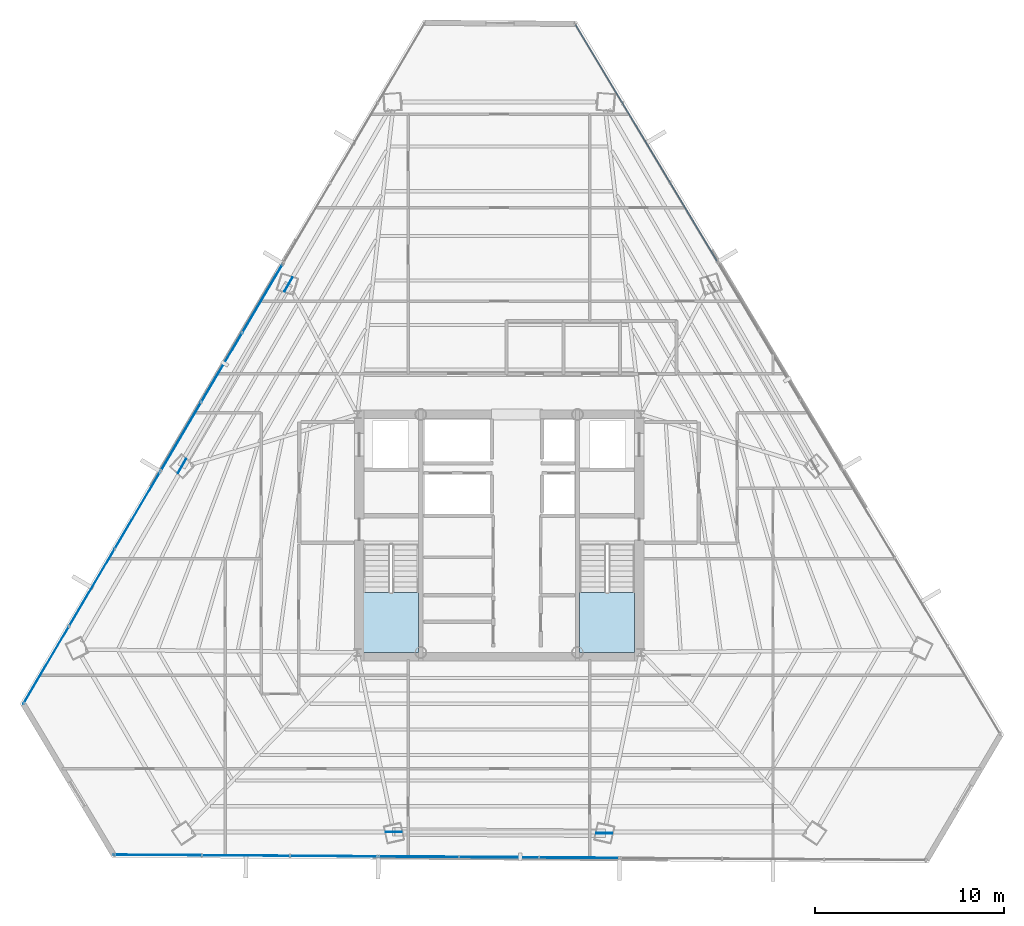
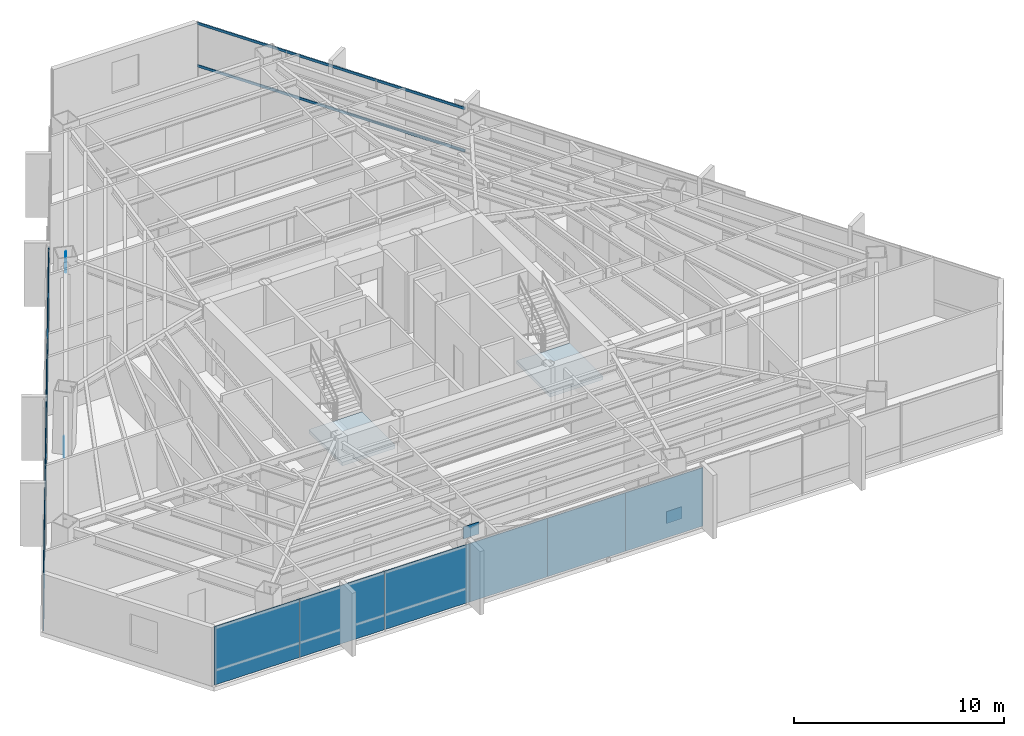
# One storey, part 33 of 41: 16 plates, 2 members, 2 slabs, 7 elements without a shape of their own.
"""IFC4 building model written with IfcOpenShell, lengths in metres."""

from ifc_helpers import new_model, si_unit, direction, frame, origin, origin_2d, place, context, subcontext, project, spatial, polyline, rectangle, hollow_rectangle, outline, extrude, source, transform, mapped, material, layer, layer_set, material_profile, profile_set, type_object, type_shapes, element, aggregate, save


model = new_model("IFC4")

# Units and contexts
model_context = context("Model", 3, precision=1e-05, world=origin(), true_north=direction((0.0, 1.0)))
body_context = subcontext(model_context, "Body", "Model", "MODEL_VIEW")
ifc_project = project(units=[si_unit("LENGTHUNIT", "METRE"), si_unit("AREAUNIT", "SQUARE_METRE"), si_unit("VOLUMEUNIT", "CUBIC_METRE"), si_unit("PLANEANGLEUNIT", "RADIAN"), si_unit("MASSUNIT", "GRAM", prefix="KILO")], contexts=[model_context])

# Site, building, storey
site_placement = place(None, origin())
site = spatial("IfcSite", under=ifc_project, at=site_placement, CompositionType="ELEMENT")
building_placement = place(site_placement, origin())
building = spatial("IfcBuilding", under=site, at=building_placement, Name="Caelisora Broadcast Tower", CompositionType="ELEMENT")
storey_placement = place(building_placement, frame((0.0, 0.0, 180.39990234375)))
storey = spatial("IfcBuildingStorey", under=building, at=storey_placement, Name="L47", CompositionType="ELEMENT", Elevation=180.39990234375)

# Curtain wall, members
ifc_material_1 = material(Name="Unitised Aluminium and Low-E Glass Curtain Wall", Category="glass")
curtain_wall_type_1 = type_object("IfcCurtainWallType", Name="CW-Z3", PredefinedType="NOTDEFINED", material=ifc_material_1)
curtain_wall_1_placement = place(storey_placement, origin())
curtain_wall_1 = element("IfcCurtainWall", 1, at=curtain_wall_1_placement, inside=storey, type_object=curtain_wall_type_1, Name="L47 curtain wall CW-Z3", PredefinedType="NOTDEFINED")
ifc_material_2 = material(Name="Aluminium 6063-T6 Anodised Terracotta Bronze", Category="aluminium")
ifc_material_profile = material_profile(ifc_material_2, hollow_rectangle(XDim=0.06005859375, YDim=0.14990234375, WallThickness=0.00341796875, at=origin_2d()), Name="Aluminium 6063-T6 Anodised Terracotta Bronze")
ifc_profile_set = profile_set([ifc_material_profile], Name="Aluminium 6063-T6 Anodised Terracotta Bronze")
member_type = type_object("IfcMemberType", Name="CWT-02", PredefinedType="USERDEFINED", material=ifc_profile_set)
shared_shape_1 = source(origin(), body_context, "Body", "SweptSolid", [
    extrude(hollow_rectangle(XDim=0.06005859375, YDim=0.14990234375, WallThickness=0.00341796875, at=origin_2d()), origin(), (0.0, 0.0, 1.0), 14.592529296875),
])
type_shapes(member_type, [shared_shape_1])
member_1_placement = place(storey_placement, frame((42.041748046875, 50.63818359375, 0.85009765625), z_axis=(0.513809149652, -0.857904515511, 0.0), x_axis=(0.857904515511, 0.513809149652, 0.0)))
member_1 = element("IfcMember", 2, at=member_1_placement, type_object=member_type, Name="L47-CW-B01 transom #1", ObjectType="TRANSOM", PredefinedType="USERDEFINED", context=body_context, shape_type="MappedRepresentation", body=[
    mapped(shared_shape_1, transform((0.0, 0.0, 0.0), scale=1.0)),
])
member_2_placement = place(storey_placement, frame((42.041748046875, 50.63818359375, 3.320068359375), z_axis=(0.513809149652, -0.857904515511, 0.0), x_axis=(0.857904515511, 0.513809149652, 0.0)))
member_2 = element("IfcMember", 3, at=member_2_placement, type_object=member_type, Name="L47-CW-B01 transom #2", ObjectType="TRANSOM", PredefinedType="USERDEFINED", context=body_context, shape_type="MappedRepresentation", body=[
    mapped(shared_shape_1, transform((0.0, 0.0, 0.0), scale=1.0)),
])
aggregate(curtain_wall_1, [member_1, member_2])

# Stair, slab
ifc_material_3 = material(Name="Concrete 40 MPa (AS 3600 N40)", Category="concrete")
stair_type_1 = type_object("IfcStairType", Name="ST-1", PredefinedType="HALF_TURN_STAIR", material=ifc_material_3)
stair_1_placement = place(storey_placement, origin())
stair_1 = element("IfcStair", 4, at=stair_1_placement, inside=storey, type_object=stair_type_1, Name="L47 West Fire-Isolated Tower Stair", PredefinedType="HALF_TURN_STAIR")
ifc_layer_1 = layer(ifc_material_3, 0.199951171875, Name="Concrete 40 MPa (AS 3600 N40)")
ifc_layer_set_1 = layer_set([ifc_layer_1], Name="Concrete 40 MPa (AS 3600 N40)")
slab_type = type_object("IfcSlabType", Name="STL-1", PredefinedType="LANDING", material=ifc_layer_set_1)
slab_1_placement = place(storey_placement, frame((0.0, 0.0, 1.625)))
slab_1 = element("IfcSlab", 5, at=slab_1_placement, type_object=slab_type, Name="ST-1 landing 1", PredefinedType="LANDING", context=body_context, shape_type="SweptSolid", body=[
    extrude(outline(polyline([(30.820068359375, 20.580078125), (30.820068359375, 17.39990234375), (33.739990234375, 17.39990234375), (33.739990234375, 20.580078125), (30.820068359375, 20.580078125)])), origin(), (0.0, 0.0, 1.0), 0.2001953125),
])
aggregate(stair_1, [slab_1])

stair_type_2 = type_object("IfcStairType", Name="ST-2", PredefinedType="HALF_TURN_STAIR", material=ifc_material_3)
stair_2_placement = place(storey_placement, origin())
stair_2 = element("IfcStair", 6, at=stair_2_placement, inside=storey, type_object=stair_type_2, Name="L47 East Fire-Isolated Tower Stair", PredefinedType="HALF_TURN_STAIR")
slab_2_placement = place(storey_placement, frame((0.0, 0.0, 1.625)))
slab_2 = element("IfcSlab", 7, at=slab_2_placement, type_object=slab_type, Name="ST-2 landing 1", PredefinedType="LANDING", context=body_context, shape_type="SweptSolid", body=[
    extrude(outline(polyline([(42.260009765625, 20.580078125), (42.260009765625, 17.39990234375), (45.179931640625, 17.39990234375), (45.179931640625, 20.580078125), (42.260009765625, 20.580078125)])), origin(), (0.0, 0.0, 1.0), 0.2001953125),
])
aggregate(stair_2, [slab_2])

# Plates
ifc_material_4 = material(Name="Steel Grade 350 L15 (AS/NZS 3678)", Category="steel")
ifc_layer_2 = layer(ifc_material_4, 0.0400390625, Name="Steel Grade 350 L15 (AS/NZS 3678)")
ifc_layer_set_2 = layer_set([ifc_layer_2], Name="Steel Grade 350 L15 (AS/NZS 3678)")
plate_type_1 = type_object("IfcPlateType", Name="GP04", PredefinedType="USERDEFINED", material=ifc_layer_set_2)
shared_shape_2 = source(origin(), body_context, "Body", "SweptSolid", [
    extrude(rectangle(XDim=0.85009765625, YDim=0.0400390625, at=origin_2d()), origin(), (0.0, 0.0, 1.0), 0.699951171875),
])
type_shapes(plate_type_1, [shared_shape_2])
for number, where, z_axis, x_axis, name in (
    (8, (26.845947265625, 36.8828125, 2.72998046875), (0.0, 0.0, 1.0), (-0.5, -0.866025403784, 0.0), "L47 gusset plate GP04 (ND-L47-C02T)"),
    (9, (21.211669921875, 27.2685546875, -0.22998046875), (0.0, 0.0, 1.0), (-0.5, -0.866025403784, 0.0), "L47 gusset plate GP04 (ND-L47-C03B)"),
    (10, (32.420166015625, 7.89892578125, 2.72998046875), (0.0, 0.0, 1.0), (1.0, 0.0, 0.0), "L47 gusset plate GP04 (ND-L47-C06T)"),
    (11, (43.5634765625, 7.82666015625, -0.22998046875), (0.0, 0.0, 1.0), (1.0, 0.0, 0.0), "L47 gusset plate GP04 (ND-L47-C07B)"),
):
    element("IfcPlate", number, at=place(storey_placement, frame(where, z_axis=z_axis, x_axis=x_axis)), inside=storey, type_object=plate_type_1, Name=name, ObjectType="GUSSET PLATE", PredefinedType="USERDEFINED", context=body_context, shape_type="MappedRepresentation", body=[
        mapped(shared_shape_2, transform((0.0, 0.0, 0.0), scale=1.0)),
    ])

# Curtain wall, plates
ifc_material_5 = material(Name="Unitised Aluminium Insulated Shadow-Box Spandrel Curtain Wall", Category="aluminium")
curtain_wall_type_2 = type_object("IfcCurtainWallType", Name="CW-SP2", PredefinedType="NOTDEFINED", material=ifc_material_5)
curtain_wall_2_placement = place(storey_placement, origin())
curtain_wall_2 = element("IfcCurtainWall", 12, at=curtain_wall_2_placement, inside=storey, type_object=curtain_wall_type_2, Name="L47 curtain wall CW-SP2", PredefinedType="NOTDEFINED")
ifc_material_6 = material(Name="Insulated Terracotta Shadow-Box Spandrel Panel", Category="aluminium")
ifc_layer_3 = layer(ifc_material_6, 0.0439453125, Name="Insulated Terracotta Shadow-Box Spandrel Panel")
ifc_layer_set_3 = layer_set([ifc_layer_3], Name="Insulated Terracotta Shadow-Box Spandrel Panel")
plate_type_2 = type_object("IfcPlateType", Name="CWP-10", PredefinedType="CURTAIN_PANEL", material=ifc_layer_set_3)
shared_shape_3 = source(origin(), body_context, "Body", "SweptSolid", [
    extrude(rectangle(XDim=4.255615234375, YDim=0.0439453125, at=origin_2d()), origin(), (0.0, 0.0, 1.0), 3.39990234375),
])
type_shapes(plate_type_2, [shared_shape_3])
plate_1_placement = place(storey_placement, frame((42.2470703125, 6.527099609375, 0.000244140625), z_axis=(0.0, 0.0, 1.0), x_axis=(-0.999978006703, 0.006632202536, 0.0)))
plate_1 = element("IfcPlate", 13, at=plate_1_placement, type_object=plate_type_2, Name="L47-CW-B06 spandrel panel #1", PredefinedType="CURTAIN_PANEL", context=body_context, shape_type="MappedRepresentation", body=[
    mapped(shared_shape_3, transform((0.0, 0.0, 0.0), scale=1.0)),
])
plate_2_placement = place(storey_placement, frame((37.99169921875, 6.555419921875, 0.000244140625), z_axis=(0.0, 0.0, 1.0), x_axis=(-0.999978006703, 0.006632202536, 0.0)))
plate_2 = element("IfcPlate", 14, at=plate_2_placement, type_object=plate_type_2, Name="L47-CW-B06 spandrel panel #2", PredefinedType="CURTAIN_PANEL", context=body_context, shape_type="MappedRepresentation", body=[
    mapped(shared_shape_3, transform((0.0, 0.0, 0.0), scale=1.0)),
])
plate_3_placement = place(storey_placement, frame((33.736083984375, 6.583740234375, 0.000244140625), z_axis=(0.0, 0.0, 1.0), x_axis=(-0.999978006703, 0.006632202536, 0.0)))
plate_3 = element("IfcPlate", 15, at=plate_3_placement, type_object=plate_type_2, Name="L47-CW-B06 spandrel panel #3", PredefinedType="CURTAIN_PANEL", context=body_context, shape_type="MappedRepresentation", body=[
    mapped(shared_shape_3, transform((0.0, 0.0, 0.0), scale=1.0)),
])
aggregate(curtain_wall_2, [plate_1, plate_2, plate_3])

curtain_wall_3_placement = place(storey_placement, origin())
curtain_wall_3 = element("IfcCurtainWall", 16, at=curtain_wall_3_placement, inside=storey, type_object=curtain_wall_type_2, Name="L47 curtain wall CW-SP2", PredefinedType="NOTDEFINED")
plate_4_placement = place(storey_placement, frame((21.15234375, 28.822021484375, 0.000244140625), z_axis=(0.0, 0.0, 1.0), x_axis=(0.508139769859, 0.861274621876, 0.0)))
plate_4 = element("IfcPlate", 17, at=plate_4_placement, type_object=plate_type_2, Name="L47-CW-B10 spandrel panel #1", PredefinedType="CURTAIN_PANEL", context=body_context, shape_type="MappedRepresentation", body=[
    mapped(shared_shape_3, transform((0.0, 0.0, 0.0), scale=1.0)),
])
plate_5_placement = place(storey_placement, frame((23.314453125, 32.4873046875, 0.000244140625), z_axis=(0.0, 0.0, 1.0), x_axis=(0.508139769859, 0.861274621876, 0.0)))
plate_5 = element("IfcPlate", 18, at=plate_5_placement, type_object=plate_type_2, Name="L47-CW-B10 spandrel panel #2", PredefinedType="CURTAIN_PANEL", context=body_context, shape_type="MappedRepresentation", body=[
    mapped(shared_shape_3, transform((0.0, 0.0, 0.0), scale=1.0)),
])
plate_6_placement = place(storey_placement, frame((25.476806640625, 36.15234375, 0.000244140625), z_axis=(0.0, 0.0, 1.0), x_axis=(0.508139769859, 0.861274621876, 0.0)))
plate_6 = element("IfcPlate", 19, at=plate_6_placement, type_object=plate_type_2, Name="L47-CW-B10 spandrel panel #3", PredefinedType="CURTAIN_PANEL", context=body_context, shape_type="MappedRepresentation", body=[
    mapped(shared_shape_3, transform((0.0, 0.0, 0.0), scale=1.0)),
])
aggregate(curtain_wall_3, [plate_4, plate_5, plate_6])

curtain_wall_4_placement = place(storey_placement, origin())
curtain_wall_4 = element("IfcCurtainWall", 20, at=curtain_wall_4_placement, inside=storey, type_object=curtain_wall_type_1, Name="L47 curtain wall CW-Z3", PredefinedType="NOTDEFINED")
ifc_material_7 = material(Name="Double Glazed Low-E Argon IGU", Category="glass")
ifc_layer_4 = layer(ifc_material_7, 0.031982421875, Name="Double Glazed Low-E Argon IGU")
ifc_layer_set_4 = layer_set([ifc_layer_4], Name="Double Glazed Low-E Argon IGU")
plate_type_3 = type_object("IfcPlateType", Name="CWP-04", PredefinedType="CURTAIN_PANEL", material=ifc_layer_set_4)
shared_shape_4 = source(origin(), body_context, "Body", "SweptSolid", [
    extrude(rectangle(XDim=4.669677734375, YDim=0.031982421875, at=origin_2d()), origin(), (0.0, 0.0, 1.0), 3.39990234375),
])
plate_7_placement = place(storey_placement, frame((29.263671875, 6.61328125, 0.000244140625), z_axis=(0.0, 0.0, 1.0), x_axis=(-0.999978006703, 0.006632202536, 0.0)))
plate_7 = element("IfcPlate", 21, at=plate_7_placement, type_object=plate_type_3, Name="L47-CW-B07 glazed panel #1", PredefinedType="CURTAIN_PANEL", context=body_context, shape_type="MappedRepresentation", body=[
    mapped(shared_shape_4, transform((0.0, 0.0, 0.0), scale=1.0)),
])
plate_8_placement = place(storey_placement, frame((24.59423828125, 6.64453125, 0.000244140625), z_axis=(0.0, 0.0, 1.0), x_axis=(-0.999978006703, 0.006632202536, 0.0)))
plate_8 = element("IfcPlate", 22, at=plate_8_placement, type_object=plate_type_3, Name="L47-CW-B07 glazed panel #2", PredefinedType="CURTAIN_PANEL", context=body_context, shape_type="MappedRepresentation", body=[
    mapped(shared_shape_4, transform((0.0, 0.0, 0.0), scale=1.0)),
])
plate_9_placement = place(storey_placement, frame((19.9248046875, 6.675537109375, 0.000244140625), z_axis=(0.0, 0.0, 1.0), x_axis=(-0.999978006703, 0.006632202536, 0.0)))
plate_9 = element("IfcPlate", 23, at=plate_9_placement, type_object=plate_type_3, Name="L47-CW-B07 glazed panel #3", PredefinedType="CURTAIN_PANEL", context=body_context, shape_type="MappedRepresentation", body=[
    mapped(shared_shape_4, transform((0.0, 0.0, 0.0), scale=1.0)),
])
aggregate(curtain_wall_4, [plate_7, plate_8, plate_9])

curtain_wall_5_placement = place(storey_placement, origin())
curtain_wall_5 = element("IfcCurtainWall", 24, at=curtain_wall_5_placement, inside=storey, type_object=curtain_wall_type_1, Name="L47 curtain wall CW-Z3", PredefinedType="NOTDEFINED")
shared_shape_5 = source(origin(), body_context, "Body", "SweptSolid", [
    extrude(rectangle(XDim=4.76171875, YDim=0.031982421875, at=origin_2d()), origin(), (0.0, 0.0, 1.0), 3.39990234375),
])
type_shapes(plate_type_3, [shared_shape_4, shared_shape_5])
plate_10_placement = place(storey_placement, frame((14.017578125, 16.7275390625, 0.000244140625), z_axis=(0.0, 0.0, 1.0), x_axis=(0.508139769859, 0.861274621876, 0.0)))
plate_10 = element("IfcPlate", 25, at=plate_10_placement, type_object=plate_type_3, Name="L47-CW-B09 glazed panel #1", PredefinedType="CURTAIN_PANEL", context=body_context, shape_type="MappedRepresentation", body=[
    mapped(shared_shape_5, transform((0.0, 0.0, 0.0), scale=1.0)),
])
plate_11_placement = place(storey_placement, frame((16.43701171875, 20.828857421875, 0.000244140625), z_axis=(0.0, 0.0, 1.0), x_axis=(0.508139769859, 0.861274621876, 0.0)))
plate_11 = element("IfcPlate", 26, at=plate_11_placement, type_object=plate_type_3, Name="L47-CW-B09 glazed panel #2", PredefinedType="CURTAIN_PANEL", context=body_context, shape_type="MappedRepresentation", body=[
    mapped(shared_shape_5, transform((0.0, 0.0, 0.0), scale=1.0)),
])
plate_12_placement = place(storey_placement, frame((18.8564453125, 24.93017578125, 0.000244140625), z_axis=(0.0, 0.0, 1.0), x_axis=(0.508139769859, 0.861274621876, 0.0)))
plate_12 = element("IfcPlate", 27, at=plate_12_placement, type_object=plate_type_3, Name="L47-CW-B09 glazed panel #3", PredefinedType="CURTAIN_PANEL", context=body_context, shape_type="MappedRepresentation", body=[
    mapped(shared_shape_5, transform((0.0, 0.0, 0.0), scale=1.0)),
])
aggregate(curtain_wall_5, [plate_10, plate_11, plate_12])

save(model, "model.ifc")
